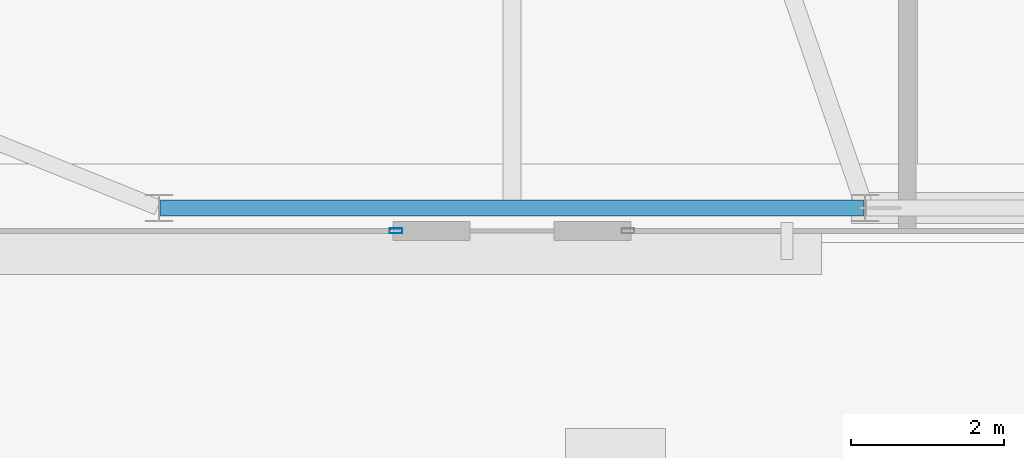
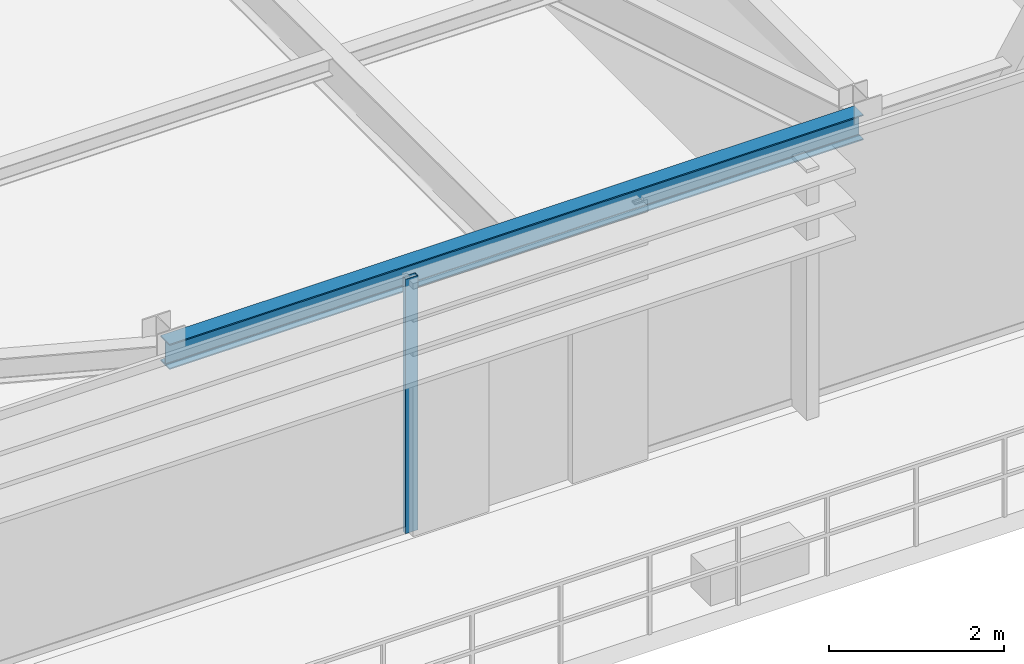
# One storey, part 6 of 33: 1 beam, 1 member, 1 element without a shape of its own.
"""IFC4 building model written with IfcOpenShell, lengths in metres."""

from ifc_helpers import new_model, si_unit, direction, frame, origin, origin_2d, place, context, subcontext, project, spatial, hollow_rectangle, i_section, extrude, source, transform, mapped, material, layer, layer_set, material_profile, profile_set, type_object, type_shapes, element, aggregate, save


model = new_model("IFC4")

# Units and contexts
model_context = context("Model", 3, precision=1e-05, world=origin(), true_north=direction((0.0, 1.0)))
body_context = subcontext(model_context, "Body", "Model", "MODEL_VIEW")
ifc_project = project(units=[si_unit("LENGTHUNIT", "METRE"), si_unit("AREAUNIT", "SQUARE_METRE"), si_unit("VOLUMEUNIT", "CUBIC_METRE"), si_unit("PLANEANGLEUNIT", "RADIAN"), si_unit("MASSUNIT", "GRAM", prefix="KILO")], contexts=[model_context])

# Site, building, storey
site_placement = place(None, origin())
site = spatial("IfcSite", under=ifc_project, at=site_placement, CompositionType="ELEMENT")
building_placement = place(site_placement, origin())
building = spatial("IfcBuilding", under=site, at=building_placement, Name="Varnel Quay Broadcast Tower", CompositionType="ELEMENT")
storey_placement = place(building_placement, frame((0.0, 0.0, 199.800048828125)))
storey = spatial("IfcBuildingStorey", under=building, at=storey_placement, Name="L49", CompositionType="ELEMENT", Elevation=199.800048828125)

# Beam
ifc_material_1 = material(Name="Structural Steel CSA G40.21 350W", Category="steel")
ifc_material_profile_1 = material_profile(ifc_material_1, i_section(OverallWidth=0.205078125, OverallDepth=0.35400390625, WebThickness=0.009521484375, FlangeThickness=0.016845703125, FilletRadius=0.012939453125, at=origin_2d()), Name="W360X79")
ifc_profile_set_1 = profile_set([ifc_material_profile_1], Name="Structural Steel CSA G40.21 350W")
beam_type = type_object("IfcBeamType", Name="Beam_W360X79", PredefinedType="SPANDREL", material=ifc_profile_set_1)
shared_shape_1 = source(origin(), body_context, "Body", "SweptSolid", [
    extrude(i_section(OverallWidth=0.205078125, OverallDepth=0.35400390625, WebThickness=0.009521484375, FlangeThickness=0.016845703125, FilletRadius=0.012939453125, at=origin_2d()), origin(), (0.0, 0.0, 1.0), 9.159912109375),
])
type_shapes(beam_type, [shared_shape_1])
beam_placement = place(storey_placement, frame((20.219970703125, 10.64990234375, 3.373046875), z_axis=(1.0, 0.0, 0.0), x_axis=(0.0, 1.0, 0.0)))
element("IfcBeam", 1, at=beam_placement, inside=storey, type_object=beam_type, Name="L49 South Spandrel TC-S1-TC-S2", PredefinedType="SPANDREL", context=body_context, shape_type="MappedRepresentation", body=[
    mapped(shared_shape_1, transform((0.0, 0.0, 0.0), x_axis=(1.0, 0.0, 0.0), y_axis=(0.0, 1.0, 0.0), z_axis=(0.0, 0.0, 1.0), scale=1.0)),
])

# Curtain wall, member
ifc_material_2 = material(Name="Anodised Bronze Aluminium 6063-T6", Category="aluminium")
ifc_layer = layer(ifc_material_2, 0.18994140625, Name="Anodised Bronze Aluminium 6063-T6")
ifc_layer_set = layer_set([ifc_layer], Name="Anodised Bronze Aluminium 6063-T6")
curtain_wall_type = type_object("IfcCurtainWallType", Name="CW_UpperTower", PredefinedType="NOTDEFINED", material=ifc_layer_set)
curtain_wall_placement = place(storey_placement, origin())
curtain_wall = element("IfcCurtainWall", 2, at=curtain_wall_placement, inside=storey, type_object=curtain_wall_type, Name="L49 South Unitised Curtain Wall 1", PredefinedType="NOTDEFINED")
ifc_material_profile_2 = material_profile(ifc_material_2, hollow_rectangle(XDim=0.06494140625, YDim=0.1650390625, WallThickness=0.00341796875, at=origin_2d()), Name="ALU65X165X3.5")
ifc_profile_set_2 = profile_set([ifc_material_profile_2], Name="Anodised Bronze Aluminium 6063-T6")
member_type = type_object("IfcMemberType", Name="Mull_CWS-03", PredefinedType="MULLION", material=ifc_profile_set_2)
shared_shape_2 = source(origin(), body_context, "Body", "SweptSolid", [
    extrude(hollow_rectangle(XDim=0.06494140625, YDim=0.1650390625, WallThickness=0.00341796875, at=origin_2d()), origin(), (0.0, 0.0, 1.0), 3.550048828125),
])
type_shapes(member_type, [shared_shape_2])
member_placement = place(storey_placement, frame((23.28759765625, 10.35009765625, 0.0), z_axis=(0.0, 0.0, 1.0), x_axis=(0.0, 1.0, 0.0)))
member = element("IfcMember", 3, at=member_placement, type_object=member_type, Name="CWS-03 mullion 2", PredefinedType="MULLION", context=body_context, shape_type="MappedRepresentation", body=[
    mapped(shared_shape_2, transform((0.0, 0.0, 0.0), x_axis=(1.0, 0.0, 0.0), y_axis=(0.0, 1.0, 0.0), z_axis=(0.0, 0.0, 1.0), scale=1.0)),
])
aggregate(curtain_wall, [member])

save(model, "model.ifc")
